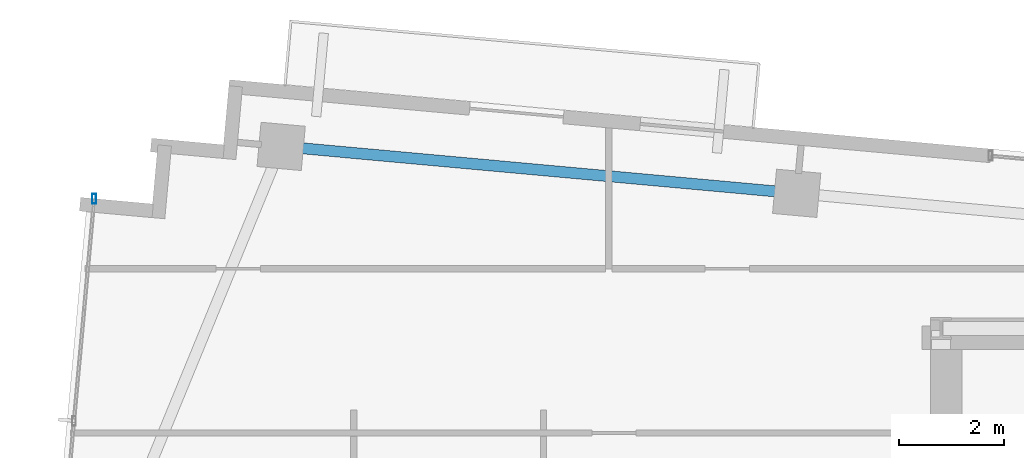
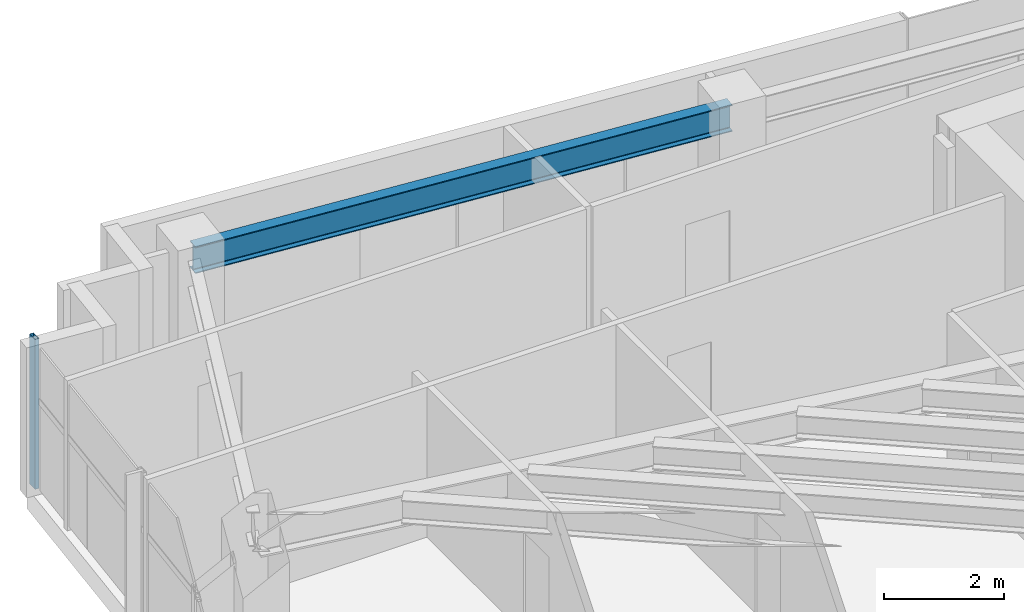
# One storey, part 9 of 22: 1 beam, 1 member, 1 element without a shape of its own.
"""IFC4 building model written with IfcOpenShell, lengths in metres."""

from ifc_helpers import new_model, si_unit, direction, frame, origin, origin_2d, place, context, subcontext, project, spatial, hollow_rectangle, i_section, extrude, source, transform, mapped, material, material_profile, profile_set, type_object, type_shapes, element, aggregate, save


model = new_model("IFC4")

# Units and contexts
model_context = context("Model", 3, precision=1e-05, world=origin(), true_north=direction((0.0, 1.0)))
body_context = subcontext(model_context, "Body", "Model", "MODEL_VIEW")
ifc_project = project(units=[si_unit("LENGTHUNIT", "METRE"), si_unit("AREAUNIT", "SQUARE_METRE"), si_unit("VOLUMEUNIT", "CUBIC_METRE"), si_unit("PLANEANGLEUNIT", "RADIAN"), si_unit("MASSUNIT", "GRAM", prefix="KILO")], contexts=[model_context])

# Site, building, storey
site_placement = place(None, origin())
site = spatial("IfcSite", under=ifc_project, at=site_placement, CompositionType="ELEMENT")
building_placement = place(site_placement, origin())
building = spatial("IfcBuilding", under=site, at=building_placement, Name="Astriad Promenade Condominiums", CompositionType="ELEMENT")
storey_placement = place(building_placement, frame((0.0, 0.0, 216.60009765625)))
storey = spatial("IfcBuildingStorey", under=building, at=storey_placement, Name="L62", CompositionType="ELEMENT", Elevation=216.60009765625)

# Beam
ifc_material_1 = material(Name="Steel ASTM A992 Grade 50", Category="steel")
ifc_material_profile_1 = material_profile(ifc_material_1, i_section(OverallWidth=0.210693359375, OverallDepth=0.53955078125, WebThickness=0.01171875, FlangeThickness=0.018798828125, FilletRadius=0.0166015625, at=origin_2d()), Name="W21X73")
ifc_profile_set_1 = profile_set([ifc_material_profile_1], Name="Steel ASTM A992 Grade 50")
beam_type = type_object("IfcBeamType", Name="STEEL SPANDREL BEAM W21X73", PredefinedType="SPANDREL", material=ifc_profile_set_1)
shared_shape_1 = source(origin(), body_context, "Body", "SweptSolid", [
    extrude(i_section(OverallWidth=0.210693359375, OverallDepth=0.53955078125, WebThickness=0.01171875, FlangeThickness=0.018798828125, FilletRadius=0.0166015625, at=origin_2d()), origin(), (0.0, 0.0, 1.0), 9.820068359375),
])
type_shapes(beam_type, [shared_shape_1])
beam_placement = place(storey_placement, frame((23.6005859375, 26.589111328125, 2.77001953125), z_axis=(-0.995883214993, 0.090645585088, 0.0), x_axis=(-0.090645585088, -0.995883214993, 0.0)))
element("IfcBeam", 1, at=beam_placement, inside=storey, type_object=beam_type, Name="Perimeter Spandrel Beam SP-N1-L62", PredefinedType="SPANDREL", context=body_context, shape_type="MappedRepresentation", body=[
    mapped(shared_shape_1, transform((0.0, 0.0, 0.0), scale=1.0)),
])

# Curtain wall, member
ifc_material_2 = material(Name="Anodised aluminium Black Dark Glass Unitised", Category="aluminium")
curtain_wall_type = type_object("IfcCurtainWallType", Name="CW-B5-DARK", PredefinedType="USERDEFINED", material=ifc_material_2)
curtain_wall_placement = place(storey_placement, origin())
curtain_wall = element("IfcCurtainWall", 2, at=curtain_wall_placement, inside=storey, type_object=curtain_wall_type, Name="CW-L62-W", ObjectType="UNITISED_CURTAIN_WALL", PredefinedType="USERDEFINED")
ifc_material_3 = material(Name="Anodised aluminium 6063-T6 Black", Category="aluminium")
ifc_material_profile_2 = material_profile(ifc_material_3, hollow_rectangle(XDim=0.074951171875, YDim=0.18505859375, WallThickness=0.00439453125, at=origin_2d()), Name="ALU-MUL-75X185")
ifc_profile_set_2 = profile_set([ifc_material_profile_2], Name="Anodised aluminium 6063-T6 Black")
member_type = type_object("IfcMemberType", Name="MUL-ALU-MUL-75X185", PredefinedType="MULLION", material=ifc_profile_set_2)
shared_shape_2 = source(origin(), body_context, "Body", "SweptSolid", [
    extrude(hollow_rectangle(XDim=0.074951171875, YDim=0.18505859375, WallThickness=0.00439453125, at=origin_2d()), origin(), (0.0, 0.0, 1.0), 3.039794921875),
])
type_shapes(member_type, [shared_shape_2])
member_placement = place(storey_placement, frame((10.205810546875, 26.482666015625, 0.0), z_axis=(0.0, 0.0, 1.0), x_axis=(1.0, 0.0, 0.0)))
member = element("IfcMember", 3, at=member_placement, type_object=member_type, Name="CW-L62-W-MUL-03", PredefinedType="MULLION", context=body_context, shape_type="MappedRepresentation", body=[
    mapped(shared_shape_2, transform((0.0, 0.0, 0.0), scale=1.0)),
])
aggregate(curtain_wall, [member])

save(model, "model.ifc")
